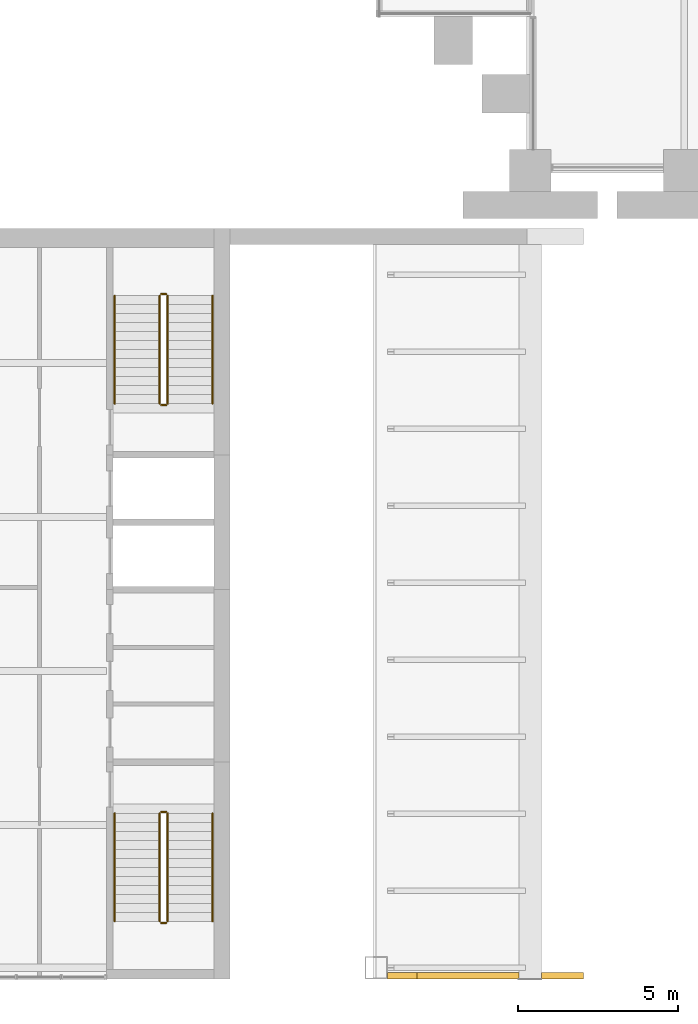
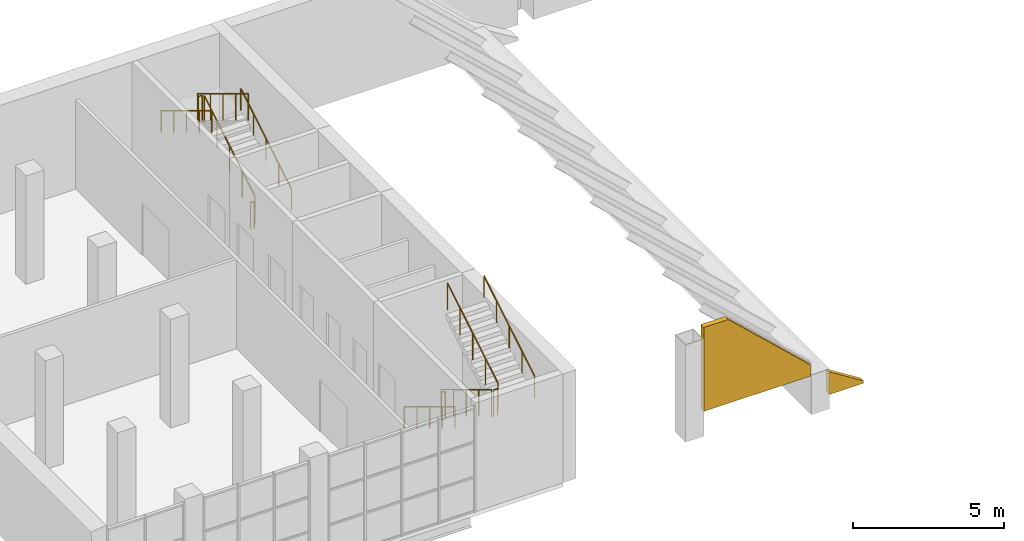
# One storey, part 27 of 30: 12 railings, 2 coverings.
"""IFC4 building model written with IfcOpenShell, lengths in metres."""

import ifcopenshell
import ifcopenshell.guid

model = None  # the IFC model being written
_history = None  # IfcOwnerHistory: only IFC2X3 demands one
_inside = {}  # id of a spatial element -> (the spatial element, [elements in it])
_under = {}  # id of a project, library or spatial element -> (it, [spatial elements below it])
_declared = {}  # id of a project -> (the project, [libraries it declares])
_typed = {}  # id of a type object -> (the type object, [elements of that type])
_made_of = {}  # id of a material, layer set ... -> (it, [elements and type objects made of it])


def new_model(schema):
    """Start an empty IFC model of exactly this schema.

    Asked for "IFC4X3", IfcOpenShell would pick the latest addendum, in which some entities
    have other attributes; the version numbers below select the first issue.
    IFC2X3 requires an IfcOwnerHistory on every rooted entity: one is made here for all.
    """
    global model, _history
    if schema == "IFC4X3":
        model = ifcopenshell.file(schema_version=(4, 3, 0, 0))
    else:
        model = ifcopenshell.file(schema=schema)
    _inside.clear()
    _under.clear()
    _declared.clear()
    _typed.clear()
    _made_of.clear()
    _history = None
    if model.schema == "IFC2X3":
        org = make("IfcOrganization", Name="unknown")
        user = make(
            "IfcPersonAndOrganization",
            ThePerson=make("IfcPerson", FamilyName="unknown"),
            TheOrganization=org,
        )
        app = make(
            "IfcApplication",
            ApplicationDeveloper=org,
            Version="unknown",
            ApplicationFullName="unknown",
            ApplicationIdentifier="unknown",
        )
        _history = make(
            "IfcOwnerHistory",
            OwningUser=user,
            OwningApplication=app,
            ChangeAction="ADDED",
            CreationDate=0,
        )
    return model


def make(cls, **values):
    """One entity of the class cls with the attributes given. An attribute that is None is left unset."""
    return model.create_entity(
        cls, **{name: value for name, value in values.items() if value is not None}
    )


def rooted(cls, **values):
    """An entity with a GlobalId (a new one), such as an element, a storey or a relation."""
    return make(cls, GlobalId=ifcopenshell.guid.new(), OwnerHistory=_history, **values)


def si_unit(unit_type, name, prefix=None):
    """IfcSIUnit, for example si_unit("LENGTHUNIT", "METRE", prefix="MILLI")."""
    return make("IfcSIUnit", UnitType=unit_type, Prefix=prefix, Name=name)


def assignment(units):
    """IfcUnitAssignment: the units of a project."""
    return None if units is None else make("IfcUnitAssignment", Units=units)


def point(xyz):
    """IfcCartesianPoint."""
    return None if xyz is None else make("IfcCartesianPoint", Coordinates=xyz)


def direction(xyz):
    """IfcDirection."""
    return None if xyz is None else make("IfcDirection", DirectionRatios=xyz)


def frame(location, z_axis=None, x_axis=None):
    """IfcAxis2Placement3D, a coordinate frame: its origin and axes. An axis left out is left unset."""
    return make(
        "IfcAxis2Placement3D",
        Location=point(location),
        Axis=direction(z_axis),
        RefDirection=direction(x_axis),
    )


def frame_2d(location, x_axis=None):
    """IfcAxis2Placement2D, a coordinate frame in the plane: its origin and x axis."""
    return make(
        "IfcAxis2Placement2D", Location=point(location), RefDirection=direction(x_axis)
    )


def origin():
    """The frame at (0, 0, 0) with its axes left unset."""
    return frame((0.0, 0.0, 0.0))


def origin_2d():
    """The frame at (0, 0) in the plane with its x axis left unset."""
    return frame_2d((0.0, 0.0))


def place(relative_to, where):
    """IfcLocalPlacement: puts the frame where relative to a parent placement (None: the world)."""
    return make(
        "IfcLocalPlacement", PlacementRelTo=relative_to, RelativePlacement=where
    )


def context(
    kind, dimensions, precision=None, world=None, true_north=None, identifier=None
):
    """IfcGeometricRepresentationContext, for example the 3D "Model" context."""
    return make(
        "IfcGeometricRepresentationContext",
        ContextIdentifier=identifier,
        ContextType=kind,
        CoordinateSpaceDimension=dimensions,
        Precision=precision,
        WorldCoordinateSystem=world,
        TrueNorth=true_north,
    )


def subcontext(parent, identifier, kind, view, scale=None):
    """IfcGeometricRepresentationSubContext, for example "Body" below "Model"."""
    return make(
        "IfcGeometricRepresentationSubContext",
        ContextIdentifier=identifier,
        ContextType=kind,
        ParentContext=parent,
        TargetScale=scale,
        TargetView=view,
    )


def project(units=None, contexts=None):
    """IfcProject with its units and contexts."""
    return rooted(
        "IfcProject",
        Name="project",
        RepresentationContexts=contexts,
        UnitsInContext=assignment(units),
    )


def spatial(cls, under=None, at=None, **own):
    """A site, building, storey or space (cls), placed at a placement, below another one or the project."""
    s = rooted(cls, ObjectPlacement=at, **own)
    if under is not None:
        _under.setdefault(under.id(), (under, []))[1].append(s)
    return s


def polyline(points):
    """IfcPolyline through the points."""
    return make("IfcPolyline", Points=[point(p) for p in points])


def profile(cls, at=None, kind="AREA", **sizes):
    """A parametric profile (cls). Its sizes go by their IFC names, for example OverallWidth=200.0."""
    return make(cls, ProfileType=kind, Position=at, **sizes)


def circle(**sizes):
    """IfcCircleProfileDef."""
    return profile("IfcCircleProfileDef", **sizes)


def outline(outer, holes=None, kind="AREA"):
    """IfcArbitraryClosedProfileDef: a profile drawn as a closed curve; with holes, ...WithVoids."""
    if holes is None:
        return make("IfcArbitraryClosedProfileDef", ProfileType=kind, OuterCurve=outer)
    return make(
        "IfcArbitraryProfileDefWithVoids",
        ProfileType=kind,
        OuterCurve=outer,
        InnerCurves=holes,
    )


def extrude(swept, where, along, depth):
    """IfcExtrudedAreaSolid: the profile swept, set in the frame where, extruded along a direction by depth."""
    return make(
        "IfcExtrudedAreaSolid",
        SweptArea=swept,
        Position=where,
        ExtrudedDirection=direction(along),
        Depth=depth,
    )


def shape(context_of_items, identifier, shape_type, items):
    """IfcShapeRepresentation: the items that make up one representation, for example the "Body"."""
    return make(
        "IfcShapeRepresentation",
        ContextOfItems=context_of_items,
        RepresentationIdentifier=identifier,
        RepresentationType=shape_type,
        Items=items,
    )


def material(Name=None, Category=None):
    """IfcMaterial."""
    return make("IfcMaterial", Name=Name, Category=Category)


def layer(
    of_material, thickness, ventilated=None, Name=None, Category=None, Priority=None
):
    """IfcMaterialLayer: one layer of a wall or slab, of a material (None: an air gap)."""
    return make(
        "IfcMaterialLayer",
        Material=of_material,
        LayerThickness=thickness,
        IsVentilated=ventilated,
        Name=Name,
        Category=Category,
        Priority=Priority,
    )


def layer_set(layers, Name=None):
    """IfcMaterialLayerSet."""
    return make("IfcMaterialLayerSet", MaterialLayers=layers, LayerSetName=Name)


def made_of(thing, what):
    """Note that an element or type object is made of a material, layer set ...; save() writes the relation."""
    if what is not None:
        _made_of.setdefault(what.id(), (what, []))[1].append(thing)
    return thing


def type_object(cls, material=None, **own):
    """A type object (cls), such as IfcWallType, which elements share."""
    return made_of(rooted(cls, **own), material)


def element(
    cls,
    number,
    at=None,
    inside=None,
    cuts=None,
    type_object=None,
    material=None,
    context=None,
    identifier="Body",
    shape_type=None,
    held_by="IfcProductDefinitionShape",
    body=None,
    shapes=None,
    **own,
):
    """One element of the class cls, such as IfcWall. Its Tag is "e" and its number.

    at: its placement. inside: the storey or other place that contains it. cuts: it is an
    opening in that element (IfcRelVoidsElement). A single representation is given by context,
    identifier, shape_type and body (its items); several are given by shapes. held_by: the class
    of the entity that holds the representations. save() writes the other relations.
    """
    e = rooted(cls, Tag="e%d" % number, ObjectPlacement=at, **own)
    if body is not None:
        shapes = [shape(context, identifier, shape_type, body)]
    if shapes is not None:
        e.Representation = make(held_by, Representations=shapes)
    if inside is not None:
        _inside.setdefault(inside.id(), (inside, []))[1].append(e)
    if cuts is not None:
        rooted(
            "IfcRelVoidsElement", RelatingBuildingElement=cuts, RelatedOpeningElement=e
        )
    if type_object is not None:
        _typed.setdefault(type_object.id(), (type_object, []))[1].append(e)
    return made_of(e, material)


def aggregate(whole, parts):
    """IfcRelAggregates: a whole, such as a stair, and the parts it consists of."""
    return rooted("IfcRelAggregates", RelatingObject=whole, RelatedObjects=parts)


def save(model, path):
    """Write the relations noted so far, then the file.

    IfcRelAggregates (storeys below a building ...), IfcRelContainedInSpatialStructure (elements
    in a storey), IfcRelDefinesByType, IfcRelAssociatesMaterial and IfcRelDeclares: one each for
    every whole, place, type object, material and project.
    """
    for whole, parts in _under.values():
        aggregate(whole, parts)
    for where, things in _inside.values():
        rooted(
            "IfcRelContainedInSpatialStructure",
            RelatedElements=things,
            RelatingStructure=where,
        )
    for kind, things in _typed.values():
        rooted("IfcRelDefinesByType", RelatedObjects=things, RelatingType=kind)
    for what, things in _made_of.values():
        rooted("IfcRelAssociatesMaterial", RelatedObjects=things, RelatingMaterial=what)
    for by, libraries in _declared.values():
        rooted("IfcRelDeclares", RelatingContext=by, RelatedDefinitions=libraries)
    model.write(path)


model = new_model("IFC4")

# Units and contexts
model_context = context("Model", 3, precision=1e-05, world=origin(), true_north=direction((0.0, 1.0)))
body_context = subcontext(model_context, "Body", "Model", "MODEL_VIEW")
ifc_project = project(units=[si_unit("LENGTHUNIT", "METRE"), si_unit("AREAUNIT", "SQUARE_METRE"), si_unit("VOLUMEUNIT", "CUBIC_METRE"), si_unit("PLANEANGLEUNIT", "RADIAN"), si_unit("MASSUNIT", "GRAM", prefix="KILO")], contexts=[model_context])

# Site, building, storey
site_placement = place(None, origin())
site = spatial("IfcSite", under=ifc_project, at=site_placement, CompositionType="ELEMENT")
building_placement = place(site_placement, origin())
building = spatial("IfcBuilding", under=site, at=building_placement, Name="Baori Bourse Tower", CompositionType="ELEMENT")
storey_placement = place(building_placement, frame((0.0, 0.0, 17.0)))
storey = spatial("IfcBuildingStorey", under=building, at=storey_placement, Name="L02", CompositionType="ELEMENT", Elevation=17.0)

# Coverings
ifc_material_1 = material(Name="Pale anodised aluminium", Category="aluminium")
ifc_layer = layer(ifc_material_1, 0.199951171875)
ifc_layer_set = layer_set([ifc_layer], Name="Fascia metal band 200")
covering_type = type_object("IfcCoveringType", Name="Fascia metal band 200", PredefinedType="CLADDING", material=ifc_layer_set)
covering_1_placement = place(storey_placement, frame((5.14990234375, -25.10009765625, 1.0), z_axis=(0.0, 0.0, 1.0), x_axis=(1.0, 0.0, 0.0)))
element("IfcCovering", 1, at=covering_1_placement, inside=storey, type_object=covering_type, Name="wing/L02/fascia/001", PredefinedType="CLADDING", context=body_context, shape_type="SweptSolid", body=[
    extrude(outline(polyline([(0.0, 0.0), (4.10009765625, 0.0), (4.10009765625, 0.43896484375), (0.93017578125, 3.39990234375), (0.0, 3.39990234375), (0.0, 0.0)])), frame((0.0, 0.10009765625, 0.0), z_axis=(0.0, -1.0, 0.0), x_axis=(1.0, 0.0, 0.0)), (0.0, 0.0, 1.0), 0.199951171875),
])
covering_2_placement = place(storey_placement, frame((9.949951171875, -25.10009765625, 0.0), z_axis=(0.0, 0.0, 1.0), x_axis=(1.0, 0.0, 0.0)))
element("IfcCovering", 2, at=covering_2_placement, inside=storey, type_object=covering_type, Name="wing/L02/fascia/002", PredefinedType="CLADDING", context=body_context, shape_type="SweptSolid", body=[
    extrude(outline(polyline([(0.0, 0.0), (1.313720703125, 0.0), (1.313720703125, 0.10009765625), (0.0, 0.921630859375), (0.0, 0.0)])), frame((0.0, 0.10009765625, 0.0), z_axis=(0.0, -1.0, 0.0), x_axis=(1.0, 0.0, 0.0)), (0.0, 0.0, 1.0), 0.199951171875),
])

# Railings
ifc_material_2 = material(Name="Stainless steel AISI 316", Category="steel")
railing_type_1 = type_object("IfcRailingType", Name="Wing guard 1100", PredefinedType="GUARDRAIL", material=ifc_material_2)
railing_1_placement = place(storey_placement, frame((-1.699951171875, -7.260009765625, 0.169189453125)))
element("IfcRailing", 3, at=railing_1_placement, inside=storey, type_object=railing_type_1, Name="L02 W-STA stair guard 1", PredefinedType="GUARDRAIL", context=body_context, shape_type="SweptSolid", body=[
    extrude(circle(Radius=0.02392578125, at=origin_2d()), frame((0.0, 0.0, 1.076171875), z_axis=(0.0, 0.855836976705, 0.517245656632), x_axis=(-1.0, 0.0, 0.0)), (0.0, 0.0, 1.0), 3.926025390625),
    extrude(circle(Radius=0.02099609375, at=origin_2d()), origin(), (0.0, 0.0, 1.0), 1.052001953125),
    extrude(circle(Radius=0.02099609375, at=origin_2d()), frame((0.0, 0.840087890625, 0.5078125)), (0.0, 0.0, 1.0), 1.052001953125),
    extrude(circle(Radius=0.02099609375, at=origin_2d()), frame((0.0, 1.68017578125, 1.015380859375)), (0.0, 0.0, 1.0), 1.052001953125),
    extrude(circle(Radius=0.02099609375, at=origin_2d()), frame((0.0, 2.52001953125, 1.52294921875)), (0.0, 0.0, 1.0), 1.052001953125),
    extrude(circle(Radius=0.02099609375, at=origin_2d()), frame((0.0, 3.360107421875, 2.03076171875)), (0.0, 0.0, 1.0), 1.052001953125),
])
railing_2_placement = place(storey_placement, frame((-1.75, -3.85009765625, 2.199951171875)))
element("IfcRailing", 4, at=railing_2_placement, inside=storey, type_object=railing_type_1, Name="L02 W-STA stair guard 2", PredefinedType="GUARDRAIL", context=body_context, shape_type="SweptSolid", body=[
    extrude(circle(Radius=0.02392578125, at=origin_2d()), frame((0.0, 0.0, 1.076171875), z_axis=(-1.0, 0.0, 0.0), x_axis=(0.0, -1.0, 0.0)), (0.0, 0.0, 1.0), 0.14990234375),
    extrude(circle(Radius=0.02099609375, at=origin_2d()), origin(), (0.0, 0.0, 1.0), 1.052001953125),
    extrude(circle(Radius=0.02099609375, at=origin_2d()), frame((-0.14990234375, 0.0, 0.0)), (0.0, 0.0, 1.0), 1.052001953125),
])
railing_3_placement = place(storey_placement, frame((-1.949951171875, -3.89990234375, 2.369140625)))
element("IfcRailing", 5, at=railing_3_placement, inside=storey, type_object=railing_type_1, Name="L02 W-STA stair guard 3", PredefinedType="GUARDRAIL", context=body_context, shape_type="SweptSolid", body=[
    extrude(circle(Radius=0.02392578125, at=origin_2d()), frame((0.0, 0.0, 1.076171875), z_axis=(0.0, -0.855836976705, 0.517245656632), x_axis=(1.0, 0.0, 0.0)), (0.0, 0.0, 1.0), 3.926025390625),
    extrude(circle(Radius=0.02099609375, at=origin_2d()), origin(), (0.0, 0.0, 1.0), 1.052001953125),
    extrude(circle(Radius=0.02099609375, at=origin_2d()), frame((0.0, -0.840087890625, 0.5078125)), (0.0, 0.0, 1.0), 1.052001953125),
    extrude(circle(Radius=0.02099609375, at=origin_2d()), frame((0.0, -1.68017578125, 1.015380859375)), (0.0, 0.0, 1.0), 1.052001953125),
    extrude(circle(Radius=0.02099609375, at=origin_2d()), frame((0.0, -2.52001953125, 1.52294921875)), (0.0, 0.0, 1.0), 1.052001953125),
    extrude(circle(Radius=0.02099609375, at=origin_2d()), frame((0.0, -3.360107421875, 2.03076171875)), (0.0, 0.0, 1.0), 1.052001953125),
])
railing_4_placement = place(storey_placement, frame((-1.75, -7.31005859375, 0.0)))
element("IfcRailing", 6, at=railing_4_placement, inside=storey, type_object=railing_type_1, Name="L02 W-STA stair guard 4", PredefinedType="GUARDRAIL", context=body_context, shape_type="SweptSolid", body=[
    extrude(circle(Radius=0.02392578125, at=origin_2d()), frame((0.0, 0.0, 1.076171875), z_axis=(-1.0, 0.0, 0.0), x_axis=(0.0, -1.0, 0.0)), (0.0, 0.0, 1.0), 0.14990234375),
    extrude(circle(Radius=0.02099609375, at=origin_2d()), origin(), (0.0, 0.0, 1.0), 1.052001953125),
    extrude(circle(Radius=0.02099609375, at=origin_2d()), frame((-0.14990234375, 0.0, 0.0)), (0.0, 0.0, 1.0), 1.052001953125),
])
railing_5_placement = place(storey_placement, frame((-1.949951171875, -20.0400390625, 0.169189453125)))
element("IfcRailing", 7, at=railing_5_placement, inside=storey, type_object=railing_type_1, Name="L02 W-STB stair guard 1", PredefinedType="GUARDRAIL", context=body_context, shape_type="SweptSolid", body=[
    extrude(circle(Radius=0.02392578125, at=origin_2d()), frame((0.0, 0.0, 1.076171875), z_axis=(0.0, -0.855820338506, 0.51727318527), x_axis=(1.0, 0.0, 0.0)), (0.0, 0.0, 1.0), 3.92578125),
    extrude(circle(Radius=0.02099609375, at=origin_2d()), origin(), (0.0, 0.0, 1.0), 1.052001953125),
    extrude(circle(Radius=0.02099609375, at=origin_2d()), frame((0.0, -0.83984375, 0.5078125)), (0.0, 0.0, 1.0), 1.052001953125),
    extrude(circle(Radius=0.02099609375, at=origin_2d()), frame((0.0, -1.679931640625, 1.015380859375)), (0.0, 0.0, 1.0), 1.052001953125),
    extrude(circle(Radius=0.02099609375, at=origin_2d()), frame((0.0, -2.52001953125, 1.52294921875)), (0.0, 0.0, 1.0), 1.052001953125),
    extrude(circle(Radius=0.02099609375, at=origin_2d()), frame((0.0, -3.35986328125, 2.03076171875)), (0.0, 0.0, 1.0), 1.052001953125),
])
railing_6_placement = place(storey_placement, frame((-1.89990234375, -23.449951171875, 2.199951171875)))
element("IfcRailing", 8, at=railing_6_placement, inside=storey, type_object=railing_type_1, Name="L02 W-STB stair guard 2", PredefinedType="GUARDRAIL", context=body_context, shape_type="SweptSolid", body=[
    extrude(circle(Radius=0.02392578125, at=origin_2d()), frame((0.0, 0.0, 1.076171875), z_axis=(1.0, 0.0, 0.0), x_axis=(0.0, 1.0, 0.0)), (0.0, 0.0, 1.0), 0.14990234375),
    extrude(circle(Radius=0.02099609375, at=origin_2d()), origin(), (0.0, 0.0, 1.0), 1.052001953125),
    extrude(circle(Radius=0.02099609375, at=origin_2d()), frame((0.14990234375, 0.0, 0.0)), (0.0, 0.0, 1.0), 1.052001953125),
])
railing_7_placement = place(storey_placement, frame((-1.699951171875, -23.39990234375, 2.369140625)))
element("IfcRailing", 9, at=railing_7_placement, inside=storey, type_object=railing_type_1, Name="L02 W-STB stair guard 3", PredefinedType="GUARDRAIL", context=body_context, shape_type="SweptSolid", body=[
    extrude(circle(Radius=0.02392578125, at=origin_2d()), frame((0.0, 0.0, 1.076171875), z_axis=(0.0, 0.855820338506, 0.51727318527), x_axis=(-1.0, 0.0, 0.0)), (0.0, 0.0, 1.0), 3.92578125),
    extrude(circle(Radius=0.02099609375, at=origin_2d()), origin(), (0.0, 0.0, 1.0), 1.052001953125),
    extrude(circle(Radius=0.02099609375, at=origin_2d()), frame((0.0, 0.83984375, 0.5078125)), (0.0, 0.0, 1.0), 1.052001953125),
    extrude(circle(Radius=0.02099609375, at=origin_2d()), frame((0.0, 1.679931640625, 1.015380859375)), (0.0, 0.0, 1.0), 1.052001953125),
    extrude(circle(Radius=0.02099609375, at=origin_2d()), frame((0.0, 2.52001953125, 1.52294921875)), (0.0, 0.0, 1.0), 1.052001953125),
    extrude(circle(Radius=0.02099609375, at=origin_2d()), frame((0.0, 3.35986328125, 2.03076171875)), (0.0, 0.0, 1.0), 1.052001953125),
])
railing_8_placement = place(storey_placement, frame((-1.89990234375, -19.989990234375, 0.0)))
element("IfcRailing", 10, at=railing_8_placement, inside=storey, type_object=railing_type_1, Name="L02 W-STB stair guard 4", PredefinedType="GUARDRAIL", context=body_context, shape_type="SweptSolid", body=[
    extrude(circle(Radius=0.02392578125, at=origin_2d()), frame((0.0, 0.0, 1.076171875), z_axis=(1.0, 0.0, 0.0), x_axis=(0.0, 1.0, 0.0)), (0.0, 0.0, 1.0), 0.14990234375),
    extrude(circle(Radius=0.02099609375, at=origin_2d()), origin(), (0.0, 0.0, 1.0), 1.052001953125),
    extrude(circle(Radius=0.02099609375, at=origin_2d()), frame((0.14990234375, 0.0, 0.0)), (0.0, 0.0, 1.0), 1.052001953125),
])
ifc_material_3 = material(Name="Stainless steel AISI 316", Category="steel")
railing_type_2 = type_object("IfcRailingType", Name="Wing handrail 900", PredefinedType="HANDRAIL", material=ifc_material_3)
railing_9_placement = place(storey_placement, frame((-0.300048828125, -7.260009765625, 0.169189453125)))
element("IfcRailing", 11, at=railing_9_placement, inside=storey, type_object=railing_type_2, Name="L02 W-STA stair handrail 1", PredefinedType="HANDRAIL", context=body_context, shape_type="SweptSolid", body=[
    extrude(circle(Radius=0.02392578125, at=origin_2d()), frame((0.0, 0.0, 0.8759765625), z_axis=(0.0, 0.855836976705, 0.517245656632), x_axis=(-1.0, 0.0, 0.0)), (0.0, 0.0, 1.0), 3.926025390625),
    extrude(circle(Radius=0.02099609375, at=origin_2d()), origin(), (0.0, 0.0, 1.0), 0.851806640625),
    extrude(circle(Radius=0.02099609375, at=origin_2d()), frame((0.0, 0.840087890625, 0.5078125)), (0.0, 0.0, 1.0), 0.851806640625),
    extrude(circle(Radius=0.02099609375, at=origin_2d()), frame((0.0, 1.68017578125, 1.015380859375)), (0.0, 0.0, 1.0), 0.851806640625),
    extrude(circle(Radius=0.02099609375, at=origin_2d()), frame((0.0, 2.52001953125, 1.52294921875)), (0.0, 0.0, 1.0), 0.851806640625),
    extrude(circle(Radius=0.02099609375, at=origin_2d()), frame((0.0, 3.360107421875, 2.03076171875)), (0.0, 0.0, 1.0), 0.851806640625),
])
railing_10_placement = place(storey_placement, frame((-3.35009765625, -3.89990234375, 2.369140625)))
element("IfcRailing", 12, at=railing_10_placement, inside=storey, type_object=railing_type_2, Name="L02 W-STA stair handrail 2", PredefinedType="HANDRAIL", context=body_context, shape_type="SweptSolid", body=[
    extrude(circle(Radius=0.02392578125, at=origin_2d()), frame((0.0, 0.0, 0.8759765625), z_axis=(0.0, -0.855836976705, 0.517245656632), x_axis=(1.0, 0.0, 0.0)), (0.0, 0.0, 1.0), 3.926025390625),
    extrude(circle(Radius=0.02099609375, at=origin_2d()), origin(), (0.0, 0.0, 1.0), 0.851806640625),
    extrude(circle(Radius=0.02099609375, at=origin_2d()), frame((0.0, -0.840087890625, 0.5078125)), (0.0, 0.0, 1.0), 0.851806640625),
    extrude(circle(Radius=0.02099609375, at=origin_2d()), frame((0.0, -1.68017578125, 1.015380859375)), (0.0, 0.0, 1.0), 0.851806640625),
    extrude(circle(Radius=0.02099609375, at=origin_2d()), frame((0.0, -2.52001953125, 1.52294921875)), (0.0, 0.0, 1.0), 0.851806640625),
    extrude(circle(Radius=0.02099609375, at=origin_2d()), frame((0.0, -3.360107421875, 2.03076171875)), (0.0, 0.0, 1.0), 0.851806640625),
])
railing_11_placement = place(storey_placement, frame((-3.35009765625, -20.0400390625, 0.169189453125)))
element("IfcRailing", 13, at=railing_11_placement, inside=storey, type_object=railing_type_2, Name="L02 W-STB stair handrail 1", PredefinedType="HANDRAIL", context=body_context, shape_type="SweptSolid", body=[
    extrude(circle(Radius=0.02392578125, at=origin_2d()), frame((0.0, 0.0, 0.8759765625), z_axis=(0.0, -0.855820338506, 0.51727318527), x_axis=(1.0, 0.0, 0.0)), (0.0, 0.0, 1.0), 3.92578125),
    extrude(circle(Radius=0.02099609375, at=origin_2d()), origin(), (0.0, 0.0, 1.0), 0.851806640625),
    extrude(circle(Radius=0.02099609375, at=origin_2d()), frame((0.0, -0.83984375, 0.5078125)), (0.0, 0.0, 1.0), 0.851806640625),
    extrude(circle(Radius=0.02099609375, at=origin_2d()), frame((0.0, -1.679931640625, 1.015380859375)), (0.0, 0.0, 1.0), 0.851806640625),
    extrude(circle(Radius=0.02099609375, at=origin_2d()), frame((0.0, -2.52001953125, 1.52294921875)), (0.0, 0.0, 1.0), 0.851806640625),
    extrude(circle(Radius=0.02099609375, at=origin_2d()), frame((0.0, -3.35986328125, 2.03076171875)), (0.0, 0.0, 1.0), 0.851806640625),
])
railing_12_placement = place(storey_placement, frame((-0.300048828125, -23.39990234375, 2.369140625)))
element("IfcRailing", 14, at=railing_12_placement, inside=storey, type_object=railing_type_2, Name="L02 W-STB stair handrail 2", PredefinedType="HANDRAIL", context=body_context, shape_type="SweptSolid", body=[
    extrude(circle(Radius=0.02392578125, at=origin_2d()), frame((0.0, 0.0, 0.8759765625), z_axis=(0.0, 0.855820338506, 0.51727318527), x_axis=(-1.0, 0.0, 0.0)), (0.0, 0.0, 1.0), 3.92578125),
    extrude(circle(Radius=0.02099609375, at=origin_2d()), origin(), (0.0, 0.0, 1.0), 0.851806640625),
    extrude(circle(Radius=0.02099609375, at=origin_2d()), frame((0.0, 0.83984375, 0.5078125)), (0.0, 0.0, 1.0), 0.851806640625),
    extrude(circle(Radius=0.02099609375, at=origin_2d()), frame((0.0, 1.679931640625, 1.015380859375)), (0.0, 0.0, 1.0), 0.851806640625),
    extrude(circle(Radius=0.02099609375, at=origin_2d()), frame((0.0, 2.52001953125, 1.52294921875)), (0.0, 0.0, 1.0), 0.851806640625),
    extrude(circle(Radius=0.02099609375, at=origin_2d()), frame((0.0, 3.35986328125, 2.03076171875)), (0.0, 0.0, 1.0), 0.851806640625),
])

save(model, "model.ifc")
